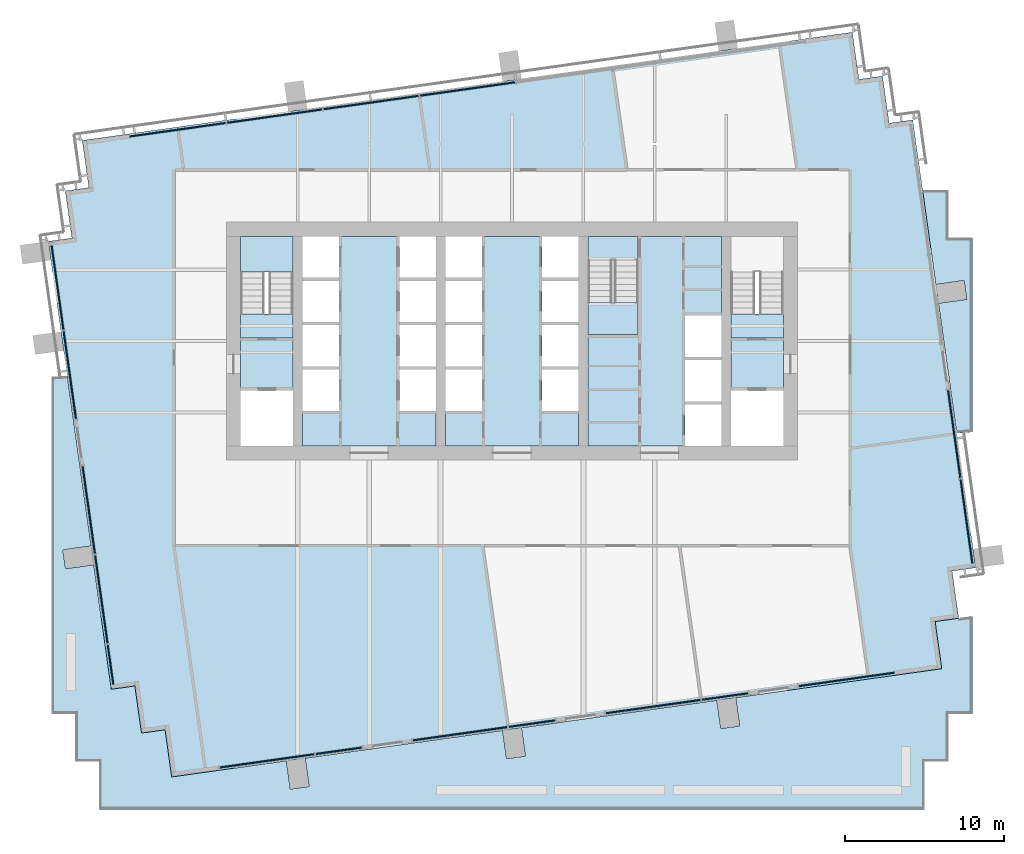
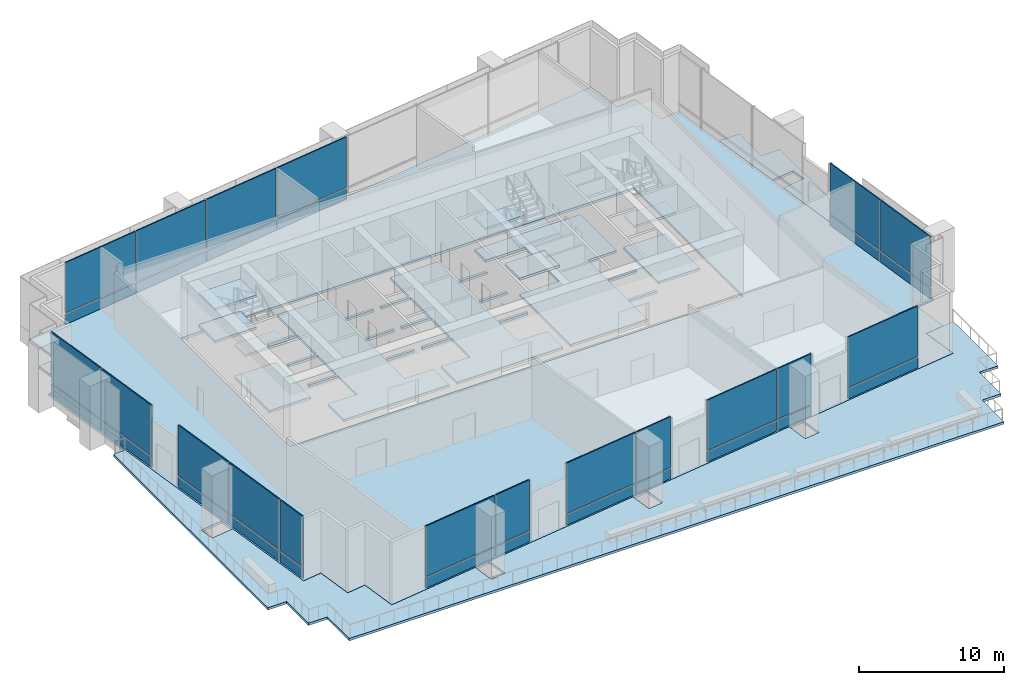
# One storey, part 6 of 17: 36 plates, 15 slabs, 11 elements without a shape of their own.
"""IFC4 building model written with IfcOpenShell, lengths in metres."""

from ifc_helpers import new_model, si_unit, direction, frame, origin, origin_2d, place, context, subcontext, project, spatial, polyline, rectangle, outline, extrude, material, layer, layer_set, type_object, element, aggregate, save


model = new_model("IFC4")

# Units and contexts
model_context = context("Model", 3, precision=1e-05, world=origin(), true_north=direction((0.0, 1.0)))
body_context = subcontext(model_context, "Body", "Model", "MODEL_VIEW")
ifc_project = project(units=[si_unit("LENGTHUNIT", "METRE"), si_unit("AREAUNIT", "SQUARE_METRE"), si_unit("VOLUMEUNIT", "CUBIC_METRE"), si_unit("PLANEANGLEUNIT", "RADIAN"), si_unit("MASSUNIT", "GRAM", prefix="KILO")], contexts=[model_context])

# Site, building, storey
site_placement = place(None, origin())
site = spatial("IfcSite", under=ifc_project, at=site_placement, CompositionType="ELEMENT")
building_placement = place(site_placement, origin())
building = spatial("IfcBuilding", under=site, at=building_placement, Name="Rattan Terrace Tower", CompositionType="ELEMENT")
storey_placement = place(building_placement, frame((0.0, 0.0, 163.10009765625)))
storey = spatial("IfcBuildingStorey", under=building, at=storey_placement, Name="L37", CompositionType="ELEMENT", Elevation=163.10009765625)

# Stair, slabs
ifc_material_1 = material(Name="Concrete C40/50", Category="concrete")
stair_type = type_object("IfcStairType", Name="Core exit stair 1500", PredefinedType="HALF_TURN_STAIR", material=ifc_material_1)
stair_1_placement = place(storey_placement, origin())
stair_1 = element("IfcStair", 1, at=stair_1_placement, inside=storey, type_object=stair_type, Name="L37 exit stair 1", PredefinedType="HALF_TURN_STAIR")
ifc_material_2 = material(Name="Concrete C40/50", Category="concrete")
ifc_layer_1 = layer(ifc_material_2, 0.199951171875)
ifc_layer_set_1 = layer_set([ifc_layer_1], Name="Core exit stair landing")
slab_type_1 = type_object("IfcSlabType", Name="Core exit stair landing", PredefinedType="LANDING", material=ifc_layer_set_1)
slab_1_placement = place(storey_placement, frame((0.0, 0.0, 1.14990234375)))
slab_1 = element("IfcSlab", 2, at=slab_1_placement, type_object=slab_type_1, Name="S1 landing 1", PredefinedType="LANDING", context=body_context, shape_type="SweptSolid", body=[
    extrude(outline(polyline([(-13.800048828125, 4.360107421875), (-13.800048828125, 6.60009765625), (-17.10009765625, 6.60009765625), (-17.10009765625, 4.360107421875), (-13.800048828125, 4.360107421875)])), origin(), (0.0, 0.0, 1.0), 0.199951171875),
])
slab_2_placement = place(storey_placement, frame((0.0, 0.0, 2.5)))
slab_2 = element("IfcSlab", 3, at=slab_2_placement, type_object=slab_type_1, Name="S1 landing 2", PredefinedType="LANDING", context=body_context, shape_type="SweptSolid", body=[
    extrude(outline(polyline([(-13.800048828125, 0.199951171875), (-13.800048828125, 1.699951171875), (-17.10009765625, 1.699951171875), (-17.10009765625, 0.199951171875), (-13.800048828125, 0.199951171875)])), origin(), (0.0, 0.0, 1.0), 0.199951171875),
])
slab_3_placement = place(storey_placement, frame((0.0, 0.0, 3.849853515625)))
slab_3 = element("IfcSlab", 4, at=slab_3_placement, type_object=slab_type_1, Name="S1 landing 3", PredefinedType="LANDING", context=body_context, shape_type="SweptSolid", body=[
    extrude(outline(polyline([(-13.800048828125, 4.360107421875), (-13.800048828125, 6.60009765625), (-17.10009765625, 6.60009765625), (-17.10009765625, 4.360107421875), (-13.800048828125, 4.360107421875)])), origin(), (0.0, 0.0, 1.0), 0.199951171875),
])
aggregate(stair_1, [slab_1, slab_2, slab_3])

# Stair, slab
stair_2_placement = place(storey_placement, origin())
stair_2 = element("IfcStair", 5, at=stair_2_placement, inside=storey, type_object=stair_type, Name="L37 exit stair 2", PredefinedType="HALF_TURN_STAIR")
slab_4_placement = place(storey_placement, frame((0.0, 0.0, 2.5)))
slab_4 = element("IfcSlab", 6, at=slab_4_placement, type_object=slab_type_1, Name="S2 landing 2", PredefinedType="LANDING", context=body_context, shape_type="SweptSolid", body=[
    extrude(outline(polyline([(17.10009765625, 0.199951171875), (17.10009765625, 1.699951171875), (13.800048828125, 1.699951171875), (13.800048828125, 0.199951171875), (17.10009765625, 0.199951171875)])), origin(), (0.0, 0.0, 1.0), 0.199951171875),
])
aggregate(stair_2, [slab_4])

# Stair, slabs
stair_3_placement = place(storey_placement, origin())
stair_3 = element("IfcStair", 7, at=stair_3_placement, inside=storey, type_object=stair_type, Name="L37 exit stair 3", PredefinedType="HALF_TURN_STAIR")
slab_5_placement = place(storey_placement, frame((0.0, 0.0, 1.14990234375)))
slab_5 = element("IfcSlab", 8, at=slab_5_placement, type_object=slab_type_1, Name="S3 landing 1", PredefinedType="LANDING", context=body_context, shape_type="SweptSolid", body=[
    extrude(outline(polyline([(4.800048828125, 2.43994140625), (4.800048828125, 0.39990234375), (7.949951171875, 0.39990234375), (7.949951171875, 2.43994140625), (4.800048828125, 2.43994140625)])), origin(), (0.0, 0.0, 1.0), 0.199951171875),
])
slab_6_placement = place(storey_placement, frame((0.0, 0.0, 2.5)))
slab_6 = element("IfcSlab", 9, at=slab_6_placement, type_object=slab_type_1, Name="S3 landing 2", PredefinedType="LANDING", context=body_context, shape_type="SweptSolid", body=[
    extrude(outline(polyline([(4.800048828125, 6.60009765625), (4.800048828125, 5.10009765625), (7.949951171875, 5.10009765625), (7.949951171875, 6.60009765625), (4.800048828125, 6.60009765625)])), origin(), (0.0, 0.0, 1.0), 0.199951171875),
])
slab_7_placement = place(storey_placement, frame((0.0, 0.0, 3.849853515625)))
slab_7 = element("IfcSlab", 10, at=slab_7_placement, type_object=slab_type_1, Name="S3 landing 3", PredefinedType="LANDING", context=body_context, shape_type="SweptSolid", body=[
    extrude(outline(polyline([(4.800048828125, 2.43994140625), (4.800048828125, 0.39990234375), (7.949951171875, 0.39990234375), (7.949951171875, 2.43994140625), (4.800048828125, 2.43994140625)])), origin(), (0.0, 0.0, 1.0), 0.199951171875),
])
aggregate(stair_3, [slab_5, slab_6, slab_7])

# Slabs
ifc_material_3 = material(Name="Concrete C35/45", Category="concrete")
ifc_layer_2 = layer(ifc_material_3, 0.199951171875)
ifc_layer_set_2 = layer_set([ifc_layer_2], Name="Frame refuge floor slab 200")
slab_type_2 = type_object("IfcSlabType", Name="Frame refuge floor slab 200", PredefinedType="FLOOR", material=ifc_layer_set_2)
slab_8_placement = place(storey_placement, frame((0.0, 0.0, -0.2001953125)))
element("IfcSlab", 11, at=slab_8_placement, inside=storey, type_object=slab_type_2, Name="Floor slab", PredefinedType="FLOOR", context=body_context, shape_type="SweptSolid", body=[
    extrude(outline(polyline([(-18.472900390625, -27.044921875), (24.10888671875, -21.06103515625), (27.080078125, -20.64306640625), (26.662109375, -17.672119140625), (28.14794921875, -17.464111328125), (27.72998046875, -14.492919921875), (29.216064453125, -14.283935546875), (25.2490234375, 13.93896484375), (23.763916015625, 13.72998046875), (23.345947265625, 16.700927734375), (21.861083984375, 16.491943359375), (21.443115234375, 19.462890625), (18.472900390625, 19.044921875), (-24.10888671875, 13.06103515625), (-27.080078125, 12.64306640625), (-26.662109375, 9.672119140625), (-28.14794921875, 9.464111328125), (-27.72998046875, 6.492919921875), (-29.216064453125, 6.283935546875), (-25.2490234375, -21.93896484375), (-23.763916015625, -21.72998046875), (-23.345947265625, -24.700927734375), (-21.861083984375, -24.491943359375), (-21.443115234375, -27.462890625), (-18.472900390625, -27.044921875)]), holes=[polyline([(-18.0, -6.60009765625), (-18.0, -7.5), (18.0, -7.5), (18.0, -6.60009765625), (18.0, 6.60009765625), (18.0, 7.5), (-18.0, 7.5), (-18.0, 6.60009765625), (-18.0, -6.60009765625)])]), origin(), (0.0, 0.0, 1.0), 0.2001953125),
])
slab_9_placement = place(storey_placement, frame((0.0, 0.0, -0.2001953125)))
element("IfcSlab", 12, at=slab_9_placement, inside=storey, type_object=slab_type_2, Name="Floor slab", PredefinedType="FLOOR", context=body_context, shape_type="SweptSolid", body=[
    extrude(outline(polyline([(-10.89990234375, 6.60009765625), (-10.89990234375, 4.0), (-13.199951171875, 4.0), (-13.199951171875, 3.800048828125), (-10.89990234375, 3.800048828125), (-10.89990234375, 1.199951171875), (-13.199951171875, 1.199951171875), (-13.199951171875, 1.0), (-10.89990234375, 1.0), (-10.89990234375, -1.60009765625), (-13.199951171875, -1.60009765625), (-13.199951171875, -1.800048828125), (-10.89990234375, -1.800048828125), (-10.89990234375, -4.39990234375), (-13.199951171875, -4.39990234375), (-13.199951171875, -6.60009765625), (-4.800048828125, -6.60009765625), (-4.800048828125, -4.39990234375), (-7.10009765625, -4.39990234375), (-7.10009765625, -1.800048828125), (-4.800048828125, -1.800048828125), (-4.800048828125, -1.60009765625), (-7.10009765625, -1.60009765625), (-7.10009765625, 1.0), (-4.800048828125, 1.0), (-4.800048828125, 1.199951171875), (-7.10009765625, 1.199951171875), (-7.10009765625, 3.800048828125), (-4.800048828125, 3.800048828125), (-4.800048828125, 4.0), (-7.10009765625, 4.0), (-7.10009765625, 6.60009765625), (-10.89990234375, 6.60009765625)])), origin(), (0.0, 0.0, 1.0), 0.2001953125),
])
slab_10_placement = place(storey_placement, frame((0.0, 0.0, -0.2001953125)))
element("IfcSlab", 13, at=slab_10_placement, inside=storey, type_object=slab_type_2, Name="Floor slab", PredefinedType="FLOOR", context=body_context, shape_type="SweptSolid", body=[
    extrude(outline(polyline([(-17.10009765625, -3.10009765625), (-13.800048828125, -3.10009765625), (-13.800048828125, 1.7099609375), (-17.10009765625, 1.7099609375), (-17.10009765625, -3.10009765625)])), origin(), (0.0, 0.0, 1.0), 0.2001953125),
])
slab_11_placement = place(storey_placement, frame((0.0, 0.0, -0.2001953125)))
element("IfcSlab", 14, at=slab_11_placement, inside=storey, type_object=slab_type_2, Name="Floor slab", PredefinedType="FLOOR", context=body_context, shape_type="SweptSolid", body=[
    extrude(outline(polyline([(-4.199951171875, 4.0), (-4.199951171875, 3.800048828125), (-1.89990234375, 3.800048828125), (-1.89990234375, 1.199951171875), (-4.199951171875, 1.199951171875), (-4.199951171875, 1.0), (-1.89990234375, 1.0), (-1.89990234375, -1.60009765625), (-4.199951171875, -1.60009765625), (-4.199951171875, -1.800048828125), (-1.89990234375, -1.800048828125), (-1.89990234375, -4.39990234375), (-4.199951171875, -4.39990234375), (-4.199951171875, -6.60009765625), (4.199951171875, -6.60009765625), (4.199951171875, -4.39990234375), (1.89990234375, -4.39990234375), (1.89990234375, -1.800048828125), (4.199951171875, -1.800048828125), (4.199951171875, -1.60009765625), (1.89990234375, -1.60009765625), (1.89990234375, 1.0), (4.199951171875, 1.0), (4.199951171875, 1.199951171875), (1.89990234375, 1.199951171875), (1.89990234375, 3.800048828125), (4.199951171875, 3.800048828125), (4.199951171875, 4.0), (1.89990234375, 4.0), (1.89990234375, 6.60009765625), (-1.89990234375, 6.60009765625), (-1.89990234375, 4.0), (-4.199951171875, 4.0)])), origin(), (0.0, 0.0, 1.0), 0.2001953125),
])
slab_12_placement = place(storey_placement, frame((0.0, 0.0, -0.2001953125)))
element("IfcSlab", 15, at=slab_12_placement, inside=storey, type_object=slab_type_2, Name="Floor slab", PredefinedType="FLOOR", context=body_context, shape_type="SweptSolid", body=[
    extrude(outline(polyline([(4.800048828125, 5.090087890625), (7.949951171875, 5.090087890625), (7.949951171875, 0.39990234375), (4.800048828125, 0.39990234375), (4.800048828125, -6.60009765625), (10.89990234375, -6.60009765625), (10.89990234375, -4.0), (13.199951171875, -4.0), (13.199951171875, -3.800048828125), (10.89990234375, -3.800048828125), (10.89990234375, -1.199951171875), (13.199951171875, -1.199951171875), (13.199951171875, -1.0), (10.89990234375, -1.0), (10.89990234375, 1.60009765625), (13.199951171875, 1.60009765625), (13.199951171875, 6.60009765625), (4.800048828125, 6.60009765625), (4.800048828125, 5.090087890625)])), origin(), (0.0, 0.0, 1.0), 0.2001953125),
])
slab_13_placement = place(storey_placement, frame((0.0, 0.0, -0.2001953125)))
element("IfcSlab", 16, at=slab_13_placement, inside=storey, type_object=slab_type_2, Name="Floor slab", PredefinedType="FLOOR", context=body_context, shape_type="SweptSolid", body=[
    extrude(outline(polyline([(13.800048828125, -3.10009765625), (17.10009765625, -3.10009765625), (17.10009765625, 1.7099609375), (13.800048828125, 1.7099609375), (13.800048828125, -3.10009765625)])), origin(), (0.0, 0.0, 1.0), 0.2001953125),
])
ifc_material_4 = material(Name="Concrete C35/45", Category="concrete")
ifc_layer_3 = layer(ifc_material_4, 0.199951171875)
ifc_layer_set_3 = layer_set([ifc_layer_3], Name="Frame terrace slab 200")
slab_type_3 = type_object("IfcSlabType", Name="Frame terrace slab 200", PredefinedType="ROOF", material=ifc_layer_set_3)
slab_14_placement = place(storey_placement, frame((0.0, 0.0, -0.2001953125)))
element("IfcSlab", 17, at=slab_14_placement, inside=storey, type_object=slab_type_3, Name="Terrace slab", PredefinedType="ROOF", context=body_context, shape_type="SweptSolid", body=[
    extrude(outline(polyline([(26.294921875, 6.5), (26.706787109375, 3.569091796875), (28.48876953125, 3.8193359375), (28.65576171875, 2.631103515625), (26.873779296875, 2.380615234375), (28.02294921875, -5.798095703125), (29.0, -5.72998046875), (29.0, 6.5), (27.5, 6.5), (27.5, 9.5), (25.873046875, 9.5), (26.294921875, 6.5)])), origin(), (0.0, 0.0, 1.0), 0.2001953125),
])
slab_15_placement = place(storey_placement, frame((0.0, 0.0, -0.2001953125)))
element("IfcSlab", 18, at=slab_15_placement, inside=storey, type_object=slab_type_3, Name="Terrace slab", PredefinedType="ROOF", context=body_context, shape_type="SweptSolid", body=[
    extrude(outline(polyline([(24.10888671875, -21.06103515625), (14.093994140625, -22.468505859375), (14.344482421875, -24.250732421875), (13.156005859375, -24.417724609375), (12.905517578125, -22.635498046875), (0.593994140625, -24.365478515625), (0.844482421875, -26.147705078125), (-0.343994140625, -26.314697265625), (-0.594482421875, -24.532470703125), (-18.472900390625, -27.044921875), (-21.443115234375, -27.462890625), (-21.861083984375, -24.491943359375), (-23.345947265625, -24.700927734375), (-23.763916015625, -21.72998046875), (-25.2490234375, -21.93896484375), (-26.3515625, -14.093994140625), (-28.1337890625, -14.344482421875), (-28.30078125, -13.156005859375), (-26.5185546875, -12.905517578125), (-28.02294921875, -2.201904296875), (-29.0, -2.27001953125), (-29.0, -23.5), (-27.5, -23.5), (-27.5, -26.5), (-26.0, -26.5), (-26.0, -29.5), (26.0, -29.5), (26.0, -26.5), (27.5, -26.5), (27.5, -23.5), (29.0, -23.5), (29.0, -17.344970703125), (26.662109375, -17.672119140625), (27.080078125, -20.64306640625), (24.10888671875, -21.06103515625)]), holes=[polyline([(-13.031005859375, -26.28125), (-14.219482421875, -26.4482421875), (-13.968994140625, -28.230712890625), (-12.780517578125, -28.063720703125), (-13.031005859375, -26.28125)])]), origin(), (0.0, 0.0, 1.0), 0.2001953125),
])

# Curtain wall, plates
ifc_material_5 = material(Name="Steel fins, aluminium and glass", Category="steel")
ifc_layer_4 = layer(ifc_material_5, 0.300048828125)
ifc_layer_set_4 = layer_set([ifc_layer_4], Name="Sky Lobby Stick Curtain Wall")
curtain_wall_type = type_object("IfcCurtainWallType", Name="Sky Lobby Stick Curtain Wall", PredefinedType="NOTDEFINED", material=ifc_layer_set_4)
curtain_wall_1_placement = place(storey_placement, origin())
curtain_wall_1 = element("IfcCurtainWall", 19, at=curtain_wall_1_placement, inside=storey, type_object=curtain_wall_type, Name="Sky lobby curtain wall L37-1", PredefinedType="NOTDEFINED")
ifc_material_6 = material(Name="Insulated aluminium spandrel panel", Category="aluminium")
ifc_layer_5 = layer(ifc_material_6, 0.10009765625)
ifc_layer_set_5 = layer_set([ifc_layer_5], Name="Sky Lobby CW Insulated Panel")
plate_type_1 = type_object("IfcPlateType", Name="Sky Lobby CW Insulated Panel", PredefinedType="CURTAIN_PANEL", material=ifc_layer_set_5)
plate_1_placement = place(storey_placement, frame((28.64501953125, -11.443359375, 0.0), z_axis=(0.0, 0.0, 1.0), x_axis=(-0.139190856006, 0.99026557327, 0.0)))
plate_1 = element("IfcPlate", 20, at=plate_1_placement, type_object=plate_type_1, Name="Panel cwl-L37-001.1.1", PredefinedType="CURTAIN_PANEL", context=body_context, shape_type="SweptSolid", body=[
    extrude(rectangle(XDim=5.534912109375, YDim=0.10009765625, at=origin_2d()), origin(), (0.0, 0.0, 1.0), 0.840087890625),
])
plate_2_placement = place(storey_placement, frame((27.8603515625, -5.860595703125, 0.0), z_axis=(0.0, 0.0, 1.0), x_axis=(-0.139190856006, 0.99026557327, 0.0)))
plate_2 = element("IfcPlate", 21, at=plate_2_placement, type_object=plate_type_1, Name="Panel cwl-L37-001.2.1", PredefinedType="CURTAIN_PANEL", context=body_context, shape_type="SweptSolid", body=[
    extrude(rectangle(XDim=5.580078125, YDim=0.10009765625, at=origin_2d()), origin(), (0.0, 0.0, 1.0), 0.840087890625),
])

curtain_wall_2_placement = place(storey_placement, origin())
curtain_wall_2 = element("IfcCurtainWall", 22, at=curtain_wall_2_placement, inside=storey, type_object=curtain_wall_type, Name="Sky lobby curtain wall L37-3", PredefinedType="NOTDEFINED")
plate_3_placement = place(storey_placement, frame((-2.791259765625, 15.885009765625, 0.0), z_axis=(0.0, 0.0, 1.0), x_axis=(-0.990269702686, -0.139161474347, 0.0)))
plate_3 = element("IfcPlate", 23, at=plate_3_placement, type_object=plate_type_1, Name="Panel cwl-L37-003.4.1", PredefinedType="CURTAIN_PANEL", context=body_context, shape_type="SweptSolid", body=[
    extrude(rectangle(XDim=6.06201171875, YDim=0.10009765625, at=origin_2d()), origin(), (0.0, 0.0, 1.0), 0.840087890625),
])
plate_4_placement = place(storey_placement, frame((-8.873291015625, 15.0302734375, 0.0), z_axis=(0.0, 0.0, 1.0), x_axis=(-0.990269702686, -0.139161474347, 0.0)))
plate_4 = element("IfcPlate", 24, at=plate_4_placement, type_object=plate_type_1, Name="Panel cwl-L37-003.5.1", PredefinedType="CURTAIN_PANEL", context=body_context, shape_type="SweptSolid", body=[
    extrude(rectangle(XDim=6.06201171875, YDim=0.10009765625, at=origin_2d()), origin(), (0.0, 0.0, 1.0), 0.840087890625),
])
plate_5_placement = place(storey_placement, frame((-14.95556640625, 14.175537109375, 0.0), z_axis=(0.0, 0.0, 1.0), x_axis=(-0.990269702686, -0.139161474347, 0.0)))
plate_5 = element("IfcPlate", 25, at=plate_5_placement, type_object=plate_type_1, Name="Panel cwl-L37-003.6.1", PredefinedType="CURTAIN_PANEL", context=body_context, shape_type="SweptSolid", body=[
    extrude(rectangle(XDim=6.06201171875, YDim=0.10009765625, at=origin_2d()), origin(), (0.0, 0.0, 1.0), 0.840087890625),
])
plate_6_placement = place(storey_placement, frame((-21.060791015625, 13.317626953125, 0.0), z_axis=(0.0, 0.0, 1.0), x_axis=(-0.990269702686, -0.139161474347, 0.0)))
plate_6 = element("IfcPlate", 26, at=plate_6_placement, type_object=plate_type_1, Name="Panel cwl-L37-003.7.1", PredefinedType="CURTAIN_PANEL", context=body_context, shape_type="SweptSolid", body=[
    extrude(rectangle(XDim=6.1083984375, YDim=0.10009765625, at=origin_2d()), origin(), (0.0, 0.0, 1.0), 0.840087890625),
])

curtain_wall_3_placement = place(storey_placement, origin())
curtain_wall_3 = element("IfcCurtainWall", 27, at=curtain_wall_3_placement, inside=storey, type_object=curtain_wall_type, Name="Sky lobby curtain wall L37-4", PredefinedType="NOTDEFINED")
plate_7_placement = place(storey_placement, frame((-28.64501953125, 3.443359375, 0.0), z_axis=(0.0, 0.0, 1.0), x_axis=(0.139190856006, -0.99026557327, 0.0)))
plate_7 = element("IfcPlate", 28, at=plate_7_placement, type_object=plate_type_1, Name="Panel cwl-L37-004.1.1", PredefinedType="CURTAIN_PANEL", context=body_context, shape_type="SweptSolid", body=[
    extrude(rectangle(XDim=5.534912109375, YDim=0.10009765625, at=origin_2d()), origin(), (0.0, 0.0, 1.0), 0.840087890625),
])
plate_8_placement = place(storey_placement, frame((-27.8603515625, -2.139404296875, 0.0), z_axis=(0.0, 0.0, 1.0), x_axis=(0.139190856006, -0.99026557327, 0.0)))
plate_8 = element("IfcPlate", 29, at=plate_8_placement, type_object=plate_type_1, Name="Panel cwl-L37-004.2.1", PredefinedType="CURTAIN_PANEL", context=body_context, shape_type="SweptSolid", body=[
    extrude(rectangle(XDim=5.580078125, YDim=0.10009765625, at=origin_2d()), origin(), (0.0, 0.0, 1.0), 0.840087890625),
])

curtain_wall_4_placement = place(storey_placement, origin())
curtain_wall_4 = element("IfcCurtainWall", 30, at=curtain_wall_4_placement, inside=storey, type_object=curtain_wall_type, Name="Sky lobby curtain wall L37-5", PredefinedType="NOTDEFINED")
plate_9_placement = place(storey_placement, frame((-26.664794921875, -10.645751953125, 0.0), z_axis=(0.0, 0.0, 1.0), x_axis=(0.139190856006, -0.99026557327, 0.0)))
plate_9 = element("IfcPlate", 31, at=plate_9_placement, type_object=plate_type_1, Name="Panel cwl-L37-005.1.1", PredefinedType="CURTAIN_PANEL", context=body_context, shape_type="SweptSolid", body=[
    extrude(rectangle(XDim=5.580078125, YDim=0.10009765625, at=origin_2d()), origin(), (0.0, 0.0, 1.0), 0.840087890625),
])
plate_10_placement = place(storey_placement, frame((-25.8740234375, -16.2705078125, 0.0), z_axis=(0.0, 0.0, 1.0), x_axis=(0.139190856006, -0.99026557327, 0.0)))
plate_10 = element("IfcPlate", 32, at=plate_10_placement, type_object=plate_type_1, Name="Panel cwl-L37-005.2.1", PredefinedType="CURTAIN_PANEL", context=body_context, shape_type="SweptSolid", body=[
    extrude(rectangle(XDim=5.6201171875, YDim=0.10009765625, at=origin_2d()), origin(), (0.0, 0.0, 1.0), 0.840087890625),
])
plate_11_placement = place(storey_placement, frame((-25.296875, -20.377685546875, 0.0), z_axis=(0.0, 0.0, 1.0), x_axis=(0.139190856006, -0.99026557327, 0.0)))
plate_11 = element("IfcPlate", 33, at=plate_11_placement, type_object=plate_type_1, Name="Panel cwl-L37-005.3.1", PredefinedType="CURTAIN_PANEL", context=body_context, shape_type="SweptSolid", body=[
    extrude(rectangle(XDim=2.515380859375, YDim=0.10009765625, at=origin_2d()), origin(), (0.0, 0.0, 1.0), 0.840087890625),
])

curtain_wall_5_placement = place(storey_placement, origin())
curtain_wall_5 = element("IfcCurtainWall", 34, at=curtain_wall_5_placement, inside=storey, type_object=curtain_wall_type, Name="Sky lobby curtain wall L37-6", PredefinedType="NOTDEFINED")
plate_12_placement = place(storey_placement, frame((-15.435791015625, -26.446533203125, 0.0), z_axis=(0.0, 0.0, 1.0), x_axis=(0.990269702686, 0.139161474347, 0.0)))
plate_12 = element("IfcPlate", 35, at=plate_12_placement, type_object=plate_type_1, Name="Panel cwl-L37-006.1.1", PredefinedType="CURTAIN_PANEL", context=body_context, shape_type="SweptSolid", body=[
    extrude(rectangle(XDim=6.02197265625, YDim=0.10009765625, at=origin_2d()), origin(), (0.0, 0.0, 1.0), 0.840087890625),
])
plate_13_placement = place(storey_placement, frame((-10.91357421875, -25.81103515625, 0.0), z_axis=(0.0, 0.0, 1.0), x_axis=(0.990269702686, 0.139161474347, 0.0)))
plate_13 = element("IfcPlate", 36, at=plate_13_placement, type_object=plate_type_1, Name="Panel cwl-L37-006.2.1", PredefinedType="CURTAIN_PANEL", context=body_context, shape_type="SweptSolid", body=[
    extrude(rectangle(XDim=2.950927734375, YDim=0.10009765625, at=origin_2d()), origin(), (0.0, 0.0, 1.0), 0.840087890625),
])

curtain_wall_6_placement = place(storey_placement, origin())
curtain_wall_6 = element("IfcCurtainWall", 37, at=curtain_wall_6_placement, inside=storey, type_object=curtain_wall_type, Name="Sky lobby curtain wall L37-7", PredefinedType="NOTDEFINED")
plate_14_placement = place(storey_placement, frame((-3.271240234375, -24.737060546875, 0.0), z_axis=(0.0, 0.0, 1.0), x_axis=(0.990269702686, 0.139161474347, 0.0)))
plate_14 = element("IfcPlate", 38, at=plate_14_placement, type_object=plate_type_1, Name="Panel cwl-L37-007.1.1", PredefinedType="CURTAIN_PANEL", context=body_context, shape_type="SweptSolid", body=[
    extrude(rectangle(XDim=6.02197265625, YDim=0.10009765625, at=origin_2d()), origin(), (0.0, 0.0, 1.0), 0.840087890625),
])
plate_15_placement = place(storey_placement, frame((1.250732421875, -24.1015625, 0.0), z_axis=(0.0, 0.0, 1.0), x_axis=(0.990269702686, 0.139161474347, 0.0)))
plate_15 = element("IfcPlate", 39, at=plate_15_placement, type_object=plate_type_1, Name="Panel cwl-L37-007.2.1", PredefinedType="CURTAIN_PANEL", context=body_context, shape_type="SweptSolid", body=[
    extrude(rectangle(XDim=2.950927734375, YDim=0.10009765625, at=origin_2d()), origin(), (0.0, 0.0, 1.0), 0.840087890625),
])

curtain_wall_7_placement = place(storey_placement, origin())
curtain_wall_7 = element("IfcCurtainWall", 40, at=curtain_wall_7_placement, inside=storey, type_object=curtain_wall_type, Name="Sky lobby curtain wall L37-8", PredefinedType="NOTDEFINED")
plate_16_placement = place(storey_placement, frame((8.893310546875, -23.027587890625, 0.0), z_axis=(0.0, 0.0, 1.0), x_axis=(0.990269702686, 0.139161474347, 0.0)))
plate_16 = element("IfcPlate", 41, at=plate_16_placement, type_object=plate_type_1, Name="Panel cwl-L37-008.1.1", PredefinedType="CURTAIN_PANEL", context=body_context, shape_type="SweptSolid", body=[
    extrude(rectangle(XDim=6.02197265625, YDim=0.10009765625, at=origin_2d()), origin(), (0.0, 0.0, 1.0), 0.840087890625),
])
plate_17_placement = place(storey_placement, frame((13.415283203125, -22.39208984375, 0.0), z_axis=(0.0, 0.0, 1.0), x_axis=(0.990269702686, 0.139161474347, 0.0)))
plate_17 = element("IfcPlate", 42, at=plate_17_placement, type_object=plate_type_1, Name="Panel cwl-L37-008.2.1", PredefinedType="CURTAIN_PANEL", context=body_context, shape_type="SweptSolid", body=[
    extrude(rectangle(XDim=2.950927734375, YDim=0.10009765625, at=origin_2d()), origin(), (0.0, 0.0, 1.0), 0.840087890625),
])

# Curtain wall, plate
curtain_wall_8_placement = place(storey_placement, origin())
curtain_wall_8 = element("IfcCurtainWall", 43, at=curtain_wall_8_placement, inside=storey, type_object=curtain_wall_type, Name="Sky lobby curtain wall L37-9", PredefinedType="NOTDEFINED")
plate_18_placement = place(storey_placement, frame((21.08056640625, -21.31494140625, 0.0), z_axis=(0.0, 0.0, 1.0), x_axis=(0.990269702686, 0.139161474347, 0.0)))
plate_18 = element("IfcPlate", 44, at=plate_18_placement, type_object=plate_type_1, Name="Panel cwl-L37-009.1.1", PredefinedType="CURTAIN_PANEL", context=body_context, shape_type="SweptSolid", body=[
    extrude(rectangle(XDim=6.068359375, YDim=0.10009765625, at=origin_2d()), origin(), (0.0, 0.0, 1.0), 0.840087890625),
])

# Plate
ifc_material_7 = material(Name="Laminated low-iron glass", Category="glass")
ifc_layer_6 = layer(ifc_material_7, 0.090087890625)
ifc_layer_set_6 = layer_set([ifc_layer_6], Name="Sky Lobby CW Vision Panel")
plate_type_2 = type_object("IfcPlateType", Name="Sky Lobby CW Vision Panel", PredefinedType="CURTAIN_PANEL", material=ifc_layer_set_6)
plate_19_placement = place(storey_placement, frame((28.64501953125, -11.443359375, 0.9599609375), z_axis=(0.0, 0.0, 1.0), x_axis=(-0.139190856006, 0.99026557327, 0.0)))
plate_19 = element("IfcPlate", 45, at=plate_19_placement, type_object=plate_type_2, Name="Panel cwl-L37-001.1.2", PredefinedType="CURTAIN_PANEL", context=body_context, shape_type="SweptSolid", body=[
    extrude(rectangle(XDim=5.534912109375, YDim=0.090087890625, at=origin_2d()), origin(), (0.0, 0.0, 1.0), 4.239990234375),
])

plate_20_placement = place(storey_placement, frame((27.8603515625, -5.860595703125, 0.9599609375), z_axis=(0.0, 0.0, 1.0), x_axis=(-0.139190856006, 0.99026557327, 0.0)))
plate_20 = element("IfcPlate", 46, at=plate_20_placement, type_object=plate_type_2, Name="Panel cwl-L37-001.2.2", PredefinedType="CURTAIN_PANEL", context=body_context, shape_type="SweptSolid", body=[
    extrude(rectangle(XDim=5.580078125, YDim=0.090087890625, at=origin_2d()), origin(), (0.0, 0.0, 1.0), 4.239990234375),
])

aggregate(curtain_wall_1, [plate_1, plate_19, plate_2, plate_20])

plate_21_placement = place(storey_placement, frame((-2.791259765625, 15.885009765625, 0.9599609375), z_axis=(0.0, 0.0, 1.0), x_axis=(-0.990269702686, -0.139161474347, 0.0)))
plate_21 = element("IfcPlate", 47, at=plate_21_placement, type_object=plate_type_2, Name="Panel cwl-L37-003.4.2", PredefinedType="CURTAIN_PANEL", context=body_context, shape_type="SweptSolid", body=[
    extrude(rectangle(XDim=6.06201171875, YDim=0.090087890625, at=origin_2d()), origin(), (0.0, 0.0, 1.0), 4.239990234375),
])

plate_22_placement = place(storey_placement, frame((-8.873291015625, 15.0302734375, 0.9599609375), z_axis=(0.0, 0.0, 1.0), x_axis=(-0.990269702686, -0.139161474347, 0.0)))
plate_22 = element("IfcPlate", 48, at=plate_22_placement, type_object=plate_type_2, Name="Panel cwl-L37-003.5.2", PredefinedType="CURTAIN_PANEL", context=body_context, shape_type="SweptSolid", body=[
    extrude(rectangle(XDim=6.06201171875, YDim=0.090087890625, at=origin_2d()), origin(), (0.0, 0.0, 1.0), 4.239990234375),
])

plate_23_placement = place(storey_placement, frame((-14.95556640625, 14.175537109375, 0.9599609375), z_axis=(0.0, 0.0, 1.0), x_axis=(-0.990269702686, -0.139161474347, 0.0)))
plate_23 = element("IfcPlate", 49, at=plate_23_placement, type_object=plate_type_2, Name="Panel cwl-L37-003.6.2", PredefinedType="CURTAIN_PANEL", context=body_context, shape_type="SweptSolid", body=[
    extrude(rectangle(XDim=6.06201171875, YDim=0.090087890625, at=origin_2d()), origin(), (0.0, 0.0, 1.0), 4.239990234375),
])

plate_24_placement = place(storey_placement, frame((-21.060791015625, 13.317626953125, 0.9599609375), z_axis=(0.0, 0.0, 1.0), x_axis=(-0.990269702686, -0.139161474347, 0.0)))
plate_24 = element("IfcPlate", 50, at=plate_24_placement, type_object=plate_type_2, Name="Panel cwl-L37-003.7.2", PredefinedType="CURTAIN_PANEL", context=body_context, shape_type="SweptSolid", body=[
    extrude(rectangle(XDim=6.1083984375, YDim=0.090087890625, at=origin_2d()), origin(), (0.0, 0.0, 1.0), 4.239990234375),
])

aggregate(curtain_wall_2, [plate_3, plate_21, plate_4, plate_22, plate_5, plate_23, plate_6, plate_24])

plate_25_placement = place(storey_placement, frame((-28.64501953125, 3.443359375, 0.9599609375), z_axis=(0.0, 0.0, 1.0), x_axis=(0.139190856006, -0.99026557327, 0.0)))
plate_25 = element("IfcPlate", 51, at=plate_25_placement, type_object=plate_type_2, Name="Panel cwl-L37-004.1.2", PredefinedType="CURTAIN_PANEL", context=body_context, shape_type="SweptSolid", body=[
    extrude(rectangle(XDim=5.534912109375, YDim=0.090087890625, at=origin_2d()), origin(), (0.0, 0.0, 1.0), 4.239990234375),
])

plate_26_placement = place(storey_placement, frame((-27.8603515625, -2.139404296875, 0.9599609375), z_axis=(0.0, 0.0, 1.0), x_axis=(0.139190856006, -0.99026557327, 0.0)))
plate_26 = element("IfcPlate", 52, at=plate_26_placement, type_object=plate_type_2, Name="Panel cwl-L37-004.2.2", PredefinedType="CURTAIN_PANEL", context=body_context, shape_type="SweptSolid", body=[
    extrude(rectangle(XDim=5.580078125, YDim=0.090087890625, at=origin_2d()), origin(), (0.0, 0.0, 1.0), 4.239990234375),
])

aggregate(curtain_wall_3, [plate_7, plate_25, plate_8, plate_26])

plate_27_placement = place(storey_placement, frame((-26.664794921875, -10.645751953125, 0.9599609375), z_axis=(0.0, 0.0, 1.0), x_axis=(0.139190856006, -0.99026557327, 0.0)))
plate_27 = element("IfcPlate", 53, at=plate_27_placement, type_object=plate_type_2, Name="Panel cwl-L37-005.1.2", PredefinedType="CURTAIN_PANEL", context=body_context, shape_type="SweptSolid", body=[
    extrude(rectangle(XDim=5.580078125, YDim=0.090087890625, at=origin_2d()), origin(), (0.0, 0.0, 1.0), 4.239990234375),
])

plate_28_placement = place(storey_placement, frame((-25.8740234375, -16.2705078125, 0.9599609375), z_axis=(0.0, 0.0, 1.0), x_axis=(0.139190856006, -0.99026557327, 0.0)))
plate_28 = element("IfcPlate", 54, at=plate_28_placement, type_object=plate_type_2, Name="Panel cwl-L37-005.2.2", PredefinedType="CURTAIN_PANEL", context=body_context, shape_type="SweptSolid", body=[
    extrude(rectangle(XDim=5.6201171875, YDim=0.090087890625, at=origin_2d()), origin(), (0.0, 0.0, 1.0), 4.239990234375),
])

plate_29_placement = place(storey_placement, frame((-25.296875, -20.377685546875, 0.9599609375), z_axis=(0.0, 0.0, 1.0), x_axis=(0.139190856006, -0.99026557327, 0.0)))
plate_29 = element("IfcPlate", 55, at=plate_29_placement, type_object=plate_type_2, Name="Panel cwl-L37-005.3.2", PredefinedType="CURTAIN_PANEL", context=body_context, shape_type="SweptSolid", body=[
    extrude(rectangle(XDim=2.515380859375, YDim=0.090087890625, at=origin_2d()), origin(), (0.0, 0.0, 1.0), 4.239990234375),
])

aggregate(curtain_wall_4, [plate_9, plate_27, plate_10, plate_28, plate_11, plate_29])

plate_30_placement = place(storey_placement, frame((-15.435791015625, -26.446533203125, 0.9599609375), z_axis=(0.0, 0.0, 1.0), x_axis=(0.990269702686, 0.139161474347, 0.0)))
plate_30 = element("IfcPlate", 56, at=plate_30_placement, type_object=plate_type_2, Name="Panel cwl-L37-006.1.2", PredefinedType="CURTAIN_PANEL", context=body_context, shape_type="SweptSolid", body=[
    extrude(rectangle(XDim=6.02197265625, YDim=0.090087890625, at=origin_2d()), origin(), (0.0, 0.0, 1.0), 4.239990234375),
])

plate_31_placement = place(storey_placement, frame((-10.91357421875, -25.81103515625, 0.9599609375), z_axis=(0.0, 0.0, 1.0), x_axis=(0.990269702686, 0.139161474347, 0.0)))
plate_31 = element("IfcPlate", 57, at=plate_31_placement, type_object=plate_type_2, Name="Panel cwl-L37-006.2.2", PredefinedType="CURTAIN_PANEL", context=body_context, shape_type="SweptSolid", body=[
    extrude(rectangle(XDim=2.950927734375, YDim=0.090087890625, at=origin_2d()), origin(), (0.0, 0.0, 1.0), 4.239990234375),
])

aggregate(curtain_wall_5, [plate_12, plate_30, plate_13, plate_31])

plate_32_placement = place(storey_placement, frame((-3.271240234375, -24.737060546875, 0.9599609375), z_axis=(0.0, 0.0, 1.0), x_axis=(0.990269702686, 0.139161474347, 0.0)))
plate_32 = element("IfcPlate", 58, at=plate_32_placement, type_object=plate_type_2, Name="Panel cwl-L37-007.1.2", PredefinedType="CURTAIN_PANEL", context=body_context, shape_type="SweptSolid", body=[
    extrude(rectangle(XDim=6.02197265625, YDim=0.090087890625, at=origin_2d()), origin(), (0.0, 0.0, 1.0), 4.239990234375),
])

plate_33_placement = place(storey_placement, frame((1.250732421875, -24.1015625, 0.9599609375), z_axis=(0.0, 0.0, 1.0), x_axis=(0.990269702686, 0.139161474347, 0.0)))
plate_33 = element("IfcPlate", 59, at=plate_33_placement, type_object=plate_type_2, Name="Panel cwl-L37-007.2.2", PredefinedType="CURTAIN_PANEL", context=body_context, shape_type="SweptSolid", body=[
    extrude(rectangle(XDim=2.950927734375, YDim=0.090087890625, at=origin_2d()), origin(), (0.0, 0.0, 1.0), 4.239990234375),
])

aggregate(curtain_wall_6, [plate_14, plate_32, plate_15, plate_33])

plate_34_placement = place(storey_placement, frame((8.893310546875, -23.027587890625, 0.9599609375), z_axis=(0.0, 0.0, 1.0), x_axis=(0.990269702686, 0.139161474347, 0.0)))
plate_34 = element("IfcPlate", 60, at=plate_34_placement, type_object=plate_type_2, Name="Panel cwl-L37-008.1.2", PredefinedType="CURTAIN_PANEL", context=body_context, shape_type="SweptSolid", body=[
    extrude(rectangle(XDim=6.02197265625, YDim=0.090087890625, at=origin_2d()), origin(), (0.0, 0.0, 1.0), 4.239990234375),
])

plate_35_placement = place(storey_placement, frame((13.415283203125, -22.39208984375, 0.9599609375), z_axis=(0.0, 0.0, 1.0), x_axis=(0.990269702686, 0.139161474347, 0.0)))
plate_35 = element("IfcPlate", 61, at=plate_35_placement, type_object=plate_type_2, Name="Panel cwl-L37-008.2.2", PredefinedType="CURTAIN_PANEL", context=body_context, shape_type="SweptSolid", body=[
    extrude(rectangle(XDim=2.950927734375, YDim=0.090087890625, at=origin_2d()), origin(), (0.0, 0.0, 1.0), 4.239990234375),
])

aggregate(curtain_wall_7, [plate_16, plate_34, plate_17, plate_35])

plate_36_placement = place(storey_placement, frame((21.08056640625, -21.31494140625, 0.9599609375), z_axis=(0.0, 0.0, 1.0), x_axis=(0.990269702686, 0.139161474347, 0.0)))
plate_36 = element("IfcPlate", 62, at=plate_36_placement, type_object=plate_type_2, Name="Panel cwl-L37-009.1.2", PredefinedType="CURTAIN_PANEL", context=body_context, shape_type="SweptSolid", body=[
    extrude(rectangle(XDim=6.068359375, YDim=0.090087890625, at=origin_2d()), origin(), (0.0, 0.0, 1.0), 4.239990234375),
])

aggregate(curtain_wall_8, [plate_18, plate_36])

save(model, "model.ifc")
